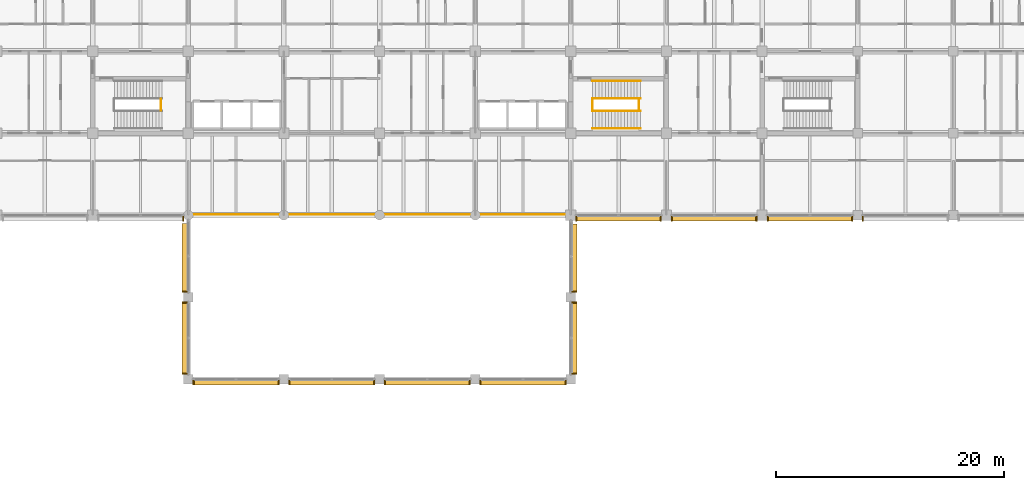
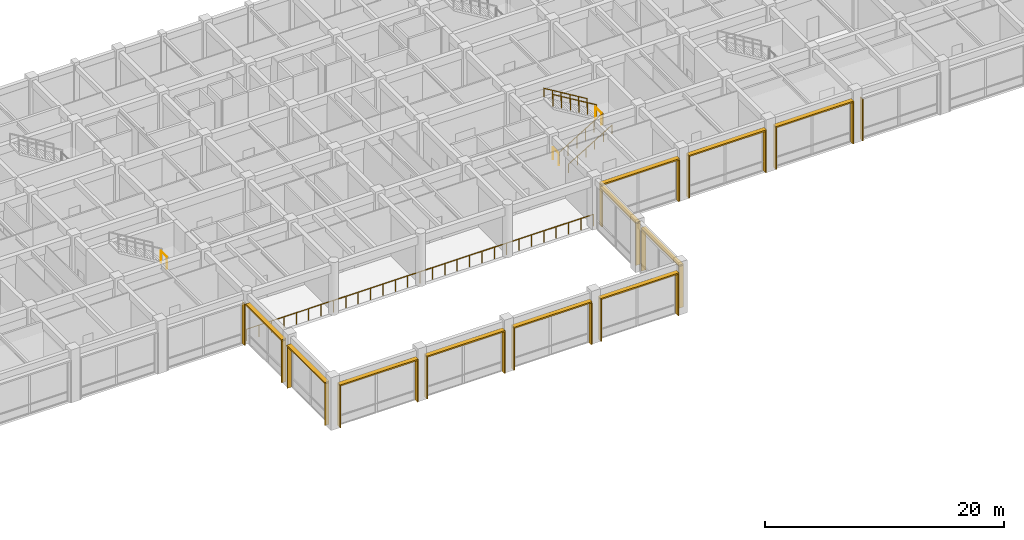
# One storey, part 48 of 51: 33 shading devices, 8 railings.
"""IFC4 building model written with IfcOpenShell, lengths in metres."""

from ifc_helpers import new_model, si_unit, direction, frame, origin, origin_2d, place, context, subcontext, project, spatial, rectangle, circle, extrude, material, type_object, element, save


model = new_model("IFC4")

# Units and contexts
model_context = context("Model", 3, precision=1e-05, world=origin(), true_north=direction((0.0, 1.0)))
body_context = subcontext(model_context, "Body", "Model", "MODEL_VIEW")
ifc_project = project(units=[si_unit("LENGTHUNIT", "METRE"), si_unit("AREAUNIT", "SQUARE_METRE"), si_unit("VOLUMEUNIT", "CUBIC_METRE"), si_unit("PLANEANGLEUNIT", "RADIAN"), si_unit("MASSUNIT", "GRAM", prefix="KILO")], contexts=[model_context])

# Site, building, storey
site_placement = place(None, origin())
site = spatial("IfcSite", under=ifc_project, at=site_placement, CompositionType="ELEMENT")
building_placement = place(site_placement, origin())
building = spatial("IfcBuilding", under=site, at=building_placement, Name="Chengyuan Square Courthouse", CompositionType="ELEMENT")
storey_placement = place(building_placement, frame((0.0, 0.0, 10.800048828125)))
storey = spatial("IfcBuildingStorey", under=building, at=storey_placement, Name="L03", CompositionType="ELEMENT", Elevation=10.800048828125)

# Railings
ifc_material_1 = material(Name="Tempered Glass and Timber Top-Rail Balustrade", Category="wood")
railing_type_1 = type_object("IfcRailingType", Name="RL-02", PredefinedType="BALUSTRADE", material=ifc_material_1)
for number, where, name in (
    (1, (64.7900390625, 88.39990234375, 2.699951171875), "Stair Landing Guard ST-3-L03"),
    (2, (102.68994140625, 88.39990234375, 0.0), "Stair Floor Slot Guard ST-4 L03"),
    (3, (106.7900390625, 88.39990234375, 2.699951171875), "Stair Landing Guard ST-4-L03"),
):
    element("IfcRailing", number, at=place(storey_placement, frame(where)), inside=storey, type_object=railing_type_1, Name=name, PredefinedType="BALUSTRADE", context=body_context, shape_type="SweptSolid", body=[
        extrude(circle(Radius=0.02392578125, at=origin_2d()), frame((0.0, 0.0, 1.17578125), z_axis=(0.0, 1.0, 0.0), x_axis=(-1.0, 0.0, 0.0)), (0.0, 0.0, 1.0), 1.0),
        extrude(circle(Radius=0.02099609375, at=origin_2d()), origin(), (0.0, 0.0, 1.0), 1.15185546875),
        extrude(circle(Radius=0.02099609375, at=origin_2d()), frame((0.0, 1.0, 0.0)), (0.0, 0.0, 1.0), 1.15185546875),
    ])
railing_1_placement = place(storey_placement, frame((102.7099609375, 88.35009765625, 0.168701171875)))
element("IfcRailing", 4, at=railing_1_placement, inside=storey, type_object=railing_type_1, Name="Stair Flight 1 Guard ST-4-L03", PredefinedType="BALUSTRADE", context=body_context, shape_type="SweptSolid", body=[
    extrude(circle(Radius=0.02392578125, at=origin_2d()), frame((0.0, 0.0, 1.17578125), z_axis=(0.856476492594, 0.0, 0.516186030065), x_axis=(0.0, 1.0, 0.0)), (0.0, 0.0, 1.0), 4.90380859375),
    extrude(circle(Radius=0.02099609375, at=origin_2d()), origin(), (0.0, 0.0, 1.0), 1.15185546875),
    extrude(circle(Radius=0.02099609375, at=origin_2d()), frame((0.840087890625, 0.0, 0.50634765625)), (0.0, 0.0, 1.0), 1.15185546875),
    extrude(circle(Radius=0.02099609375, at=origin_2d()), frame((1.679931640625, 0.0, 1.012451171875)), (0.0, 0.0, 1.0), 1.15185546875),
    extrude(circle(Radius=0.02099609375, at=origin_2d()), frame((2.52001953125, 0.0, 1.518798828125)), (0.0, 0.0, 1.0), 1.15185546875),
    extrude(circle(Radius=0.02099609375, at=origin_2d()), frame((3.35986328125, 0.0, 2.02490234375)), (0.0, 0.0, 1.0), 1.15185546875),
    extrude(circle(Radius=0.02099609375, at=origin_2d()), frame((4.199951171875, 0.0, 2.53125)), (0.0, 0.0, 1.0), 1.15185546875),
])
railing_2_placement = place(storey_placement, frame((106.909912109375, 89.449951171875, 2.86865234375)))
element("IfcRailing", 5, at=railing_2_placement, inside=storey, type_object=railing_type_1, Name="Stair Flight 2 Guard ST-4-L03", PredefinedType="BALUSTRADE", context=body_context, shape_type="SweptSolid", body=[
    extrude(circle(Radius=0.02392578125, at=origin_2d()), frame((0.0, 0.0, 1.17578125), z_axis=(-0.856476492594, 0.0, 0.516186030065), x_axis=(0.0, -1.0, 0.0)), (0.0, 0.0, 1.0), 4.90380859375),
    extrude(circle(Radius=0.02099609375, at=origin_2d()), origin(), (0.0, 0.0, 1.0), 1.15185546875),
    extrude(circle(Radius=0.02099609375, at=origin_2d()), frame((-0.840087890625, 0.0, 0.50634765625)), (0.0, 0.0, 1.0), 1.15185546875),
    extrude(circle(Radius=0.02099609375, at=origin_2d()), frame((-1.679931640625, 0.0, 1.012451171875)), (0.0, 0.0, 1.0), 1.15185546875),
    extrude(circle(Radius=0.02099609375, at=origin_2d()), frame((-2.52001953125, 0.0, 1.518798828125)), (0.0, 0.0, 1.0), 1.15185546875),
    extrude(circle(Radius=0.02099609375, at=origin_2d()), frame((-3.35986328125, 0.0, 2.02490234375)), (0.0, 0.0, 1.0), 1.15185546875),
    extrude(circle(Radius=0.02099609375, at=origin_2d()), frame((-4.199951171875, 0.0, 2.53125)), (0.0, 0.0, 1.0), 1.15185546875),
])
railing_3_placement = place(storey_placement, frame((67.25, 79.280029296875, 0.0)))
element("IfcRailing", 6, at=railing_3_placement, inside=storey, type_object=railing_type_1, Name="Wintergarden Atrium Overlook Balustrade L03", PredefinedType="BALUSTRADE", context=body_context, shape_type="SweptSolid", body=[
    extrude(circle(Radius=0.02392578125, at=origin_2d()), frame((0.0, 0.0, 1.17578125), z_axis=(1.0, 0.0, 0.0), x_axis=(0.0, 1.0, 0.0)), (0.0, 0.0, 1.0), 33.5),
    extrude(circle(Radius=0.02099609375, at=origin_2d()), origin(), (0.0, 0.0, 1.0), 1.15185546875),
    extrude(circle(Radius=0.02099609375, at=origin_2d()), frame((1.196533203125, 0.0, 0.0)), (0.0, 0.0, 1.0), 1.15185546875),
    extrude(circle(Radius=0.02099609375, at=origin_2d()), frame((2.392822265625, 0.0, 0.0)), (0.0, 0.0, 1.0), 1.15185546875),
    extrude(circle(Radius=0.02099609375, at=origin_2d()), frame((3.58935546875, 0.0, 0.0)), (0.0, 0.0, 1.0), 1.15185546875),
    extrude(circle(Radius=0.02099609375, at=origin_2d()), frame((4.78564453125, 0.0, 0.0)), (0.0, 0.0, 1.0), 1.15185546875),
    extrude(circle(Radius=0.02099609375, at=origin_2d()), frame((5.982177734375, 0.0, 0.0)), (0.0, 0.0, 1.0), 1.15185546875),
    extrude(circle(Radius=0.02099609375, at=origin_2d()), frame((7.178466796875, 0.0, 0.0)), (0.0, 0.0, 1.0), 1.15185546875),
    extrude(circle(Radius=0.02099609375, at=origin_2d()), frame((8.375, 0.0, 0.0)), (0.0, 0.0, 1.0), 1.15185546875),
    extrude(circle(Radius=0.02099609375, at=origin_2d()), frame((9.571533203125, 0.0, 0.0)), (0.0, 0.0, 1.0), 1.15185546875),
    extrude(circle(Radius=0.02099609375, at=origin_2d()), frame((10.767822265625, 0.0, 0.0)), (0.0, 0.0, 1.0), 1.15185546875),
    extrude(circle(Radius=0.02099609375, at=origin_2d()), frame((11.96435546875, 0.0, 0.0)), (0.0, 0.0, 1.0), 1.15185546875),
    extrude(circle(Radius=0.02099609375, at=origin_2d()), frame((13.16064453125, 0.0, 0.0)), (0.0, 0.0, 1.0), 1.15185546875),
    extrude(circle(Radius=0.02099609375, at=origin_2d()), frame((14.357177734375, 0.0, 0.0)), (0.0, 0.0, 1.0), 1.15185546875),
    extrude(circle(Radius=0.02099609375, at=origin_2d()), frame((15.553466796875, 0.0, 0.0)), (0.0, 0.0, 1.0), 1.15185546875),
    extrude(circle(Radius=0.02099609375, at=origin_2d()), frame((16.75, 0.0, 0.0)), (0.0, 0.0, 1.0), 1.15185546875),
    extrude(circle(Radius=0.02099609375, at=origin_2d()), frame((17.946533203125, 0.0, 0.0)), (0.0, 0.0, 1.0), 1.15185546875),
    extrude(circle(Radius=0.02099609375, at=origin_2d()), frame((19.142822265625, 0.0, 0.0)), (0.0, 0.0, 1.0), 1.15185546875),
    extrude(circle(Radius=0.02099609375, at=origin_2d()), frame((20.33935546875, 0.0, 0.0)), (0.0, 0.0, 1.0), 1.15185546875),
    extrude(circle(Radius=0.02099609375, at=origin_2d()), frame((21.53564453125, 0.0, 0.0)), (0.0, 0.0, 1.0), 1.15185546875),
    extrude(circle(Radius=0.02099609375, at=origin_2d()), frame((22.732177734375, 0.0, 0.0)), (0.0, 0.0, 1.0), 1.15185546875),
    extrude(circle(Radius=0.02099609375, at=origin_2d()), frame((23.928466796875, 0.0, 0.0)), (0.0, 0.0, 1.0), 1.15185546875),
    extrude(circle(Radius=0.02099609375, at=origin_2d()), frame((25.125, 0.0, 0.0)), (0.0, 0.0, 1.0), 1.15185546875),
    extrude(circle(Radius=0.02099609375, at=origin_2d()), frame((26.321533203125, 0.0, 0.0)), (0.0, 0.0, 1.0), 1.15185546875),
    extrude(circle(Radius=0.02099609375, at=origin_2d()), frame((27.517822265625, 0.0, 0.0)), (0.0, 0.0, 1.0), 1.15185546875),
    extrude(circle(Radius=0.02099609375, at=origin_2d()), frame((28.71435546875, 0.0, 0.0)), (0.0, 0.0, 1.0), 1.15185546875),
    extrude(circle(Radius=0.02099609375, at=origin_2d()), frame((29.91064453125, 0.0, 0.0)), (0.0, 0.0, 1.0), 1.15185546875),
    extrude(circle(Radius=0.02099609375, at=origin_2d()), frame((31.107177734375, 0.0, 0.0)), (0.0, 0.0, 1.0), 1.15185546875),
    extrude(circle(Radius=0.02099609375, at=origin_2d()), frame((32.303466796875, 0.0, 0.0)), (0.0, 0.0, 1.0), 1.15185546875),
    extrude(circle(Radius=0.02099609375, at=origin_2d()), frame((33.5, 0.0, 0.0)), (0.0, 0.0, 1.0), 1.15185546875),
])
ifc_material_2 = material(Name="Stainless Steel S30408 Stair Handrail", Category="steel")
railing_type_2 = type_object("IfcRailingType", Name="RL-04", PredefinedType="HANDRAIL", material=ifc_material_2)
railing_4_placement = place(storey_placement, frame((102.7099609375, 86.820068359375, 0.168701171875)))
element("IfcRailing", 7, at=railing_4_placement, inside=storey, type_object=railing_type_2, Name="Stair Flight 1 Handrail ST-4-L03", PredefinedType="HANDRAIL", context=body_context, shape_type="SweptSolid", body=[
    extrude(circle(Radius=0.02392578125, at=origin_2d()), frame((0.0, 0.0, 0.8759765625), z_axis=(0.856476492594, 0.0, 0.516186030065), x_axis=(0.0, 1.0, 0.0)), (0.0, 0.0, 1.0), 4.90380859375),
    extrude(circle(Radius=0.02099609375, at=origin_2d()), origin(), (0.0, 0.0, 1.0), 0.851806640625),
    extrude(circle(Radius=0.02099609375, at=origin_2d()), frame((0.840087890625, 0.0, 0.50634765625)), (0.0, 0.0, 1.0), 0.851806640625),
    extrude(circle(Radius=0.02099609375, at=origin_2d()), frame((1.679931640625, 0.0, 1.012451171875)), (0.0, 0.0, 1.0), 0.851806640625),
    extrude(circle(Radius=0.02099609375, at=origin_2d()), frame((2.52001953125, 0.0, 1.518798828125)), (0.0, 0.0, 1.0), 0.851806640625),
    extrude(circle(Radius=0.02099609375, at=origin_2d()), frame((3.35986328125, 0.0, 2.02490234375)), (0.0, 0.0, 1.0), 0.851806640625),
    extrude(circle(Radius=0.02099609375, at=origin_2d()), frame((4.199951171875, 0.0, 2.53125)), (0.0, 0.0, 1.0), 0.851806640625),
])
railing_5_placement = place(storey_placement, frame((106.909912109375, 90.97998046875, 2.86865234375)))
element("IfcRailing", 8, at=railing_5_placement, inside=storey, type_object=railing_type_2, Name="Stair Flight 2 Handrail ST-4-L03", PredefinedType="HANDRAIL", context=body_context, shape_type="SweptSolid", body=[
    extrude(circle(Radius=0.02392578125, at=origin_2d()), frame((0.0, 0.0, 0.8759765625), z_axis=(-0.856476492594, 0.0, 0.516186030065), x_axis=(0.0, -1.0, 0.0)), (0.0, 0.0, 1.0), 4.90380859375),
    extrude(circle(Radius=0.02099609375, at=origin_2d()), origin(), (0.0, 0.0, 1.0), 0.851806640625),
    extrude(circle(Radius=0.02099609375, at=origin_2d()), frame((-0.840087890625, 0.0, 0.50634765625)), (0.0, 0.0, 1.0), 0.851806640625),
    extrude(circle(Radius=0.02099609375, at=origin_2d()), frame((-1.679931640625, 0.0, 1.012451171875)), (0.0, 0.0, 1.0), 0.851806640625),
    extrude(circle(Radius=0.02099609375, at=origin_2d()), frame((-2.52001953125, 0.0, 1.518798828125)), (0.0, 0.0, 1.0), 0.851806640625),
    extrude(circle(Radius=0.02099609375, at=origin_2d()), frame((-3.35986328125, 0.0, 2.02490234375)), (0.0, 0.0, 1.0), 0.851806640625),
    extrude(circle(Radius=0.02099609375, at=origin_2d()), frame((-4.199951171875, 0.0, 2.53125)), (0.0, 0.0, 1.0), 0.851806640625),
])

# Shading devices
ifc_material_3 = material(Name="Glulam TCt28 Solar Shading Fin", Category="wood")
shading_device_type_1 = type_object("IfcShadingDeviceType", Name="SHD-01", PredefinedType="JALOUSIE", material=ifc_material_3)
for number, where, z_axis, x_axis, name in (
    (9, (66.739990234375, 78.89794921875, 0.0400390625), (0.0, 0.0, 1.0), (0.0, 1.0, 0.0), "Glulam Solar Fin SHD-L03-0336"),
    (10, (67.659912109375, 64.498046875, 0.0400390625), (0.0, 0.0, 1.0), (0.0, 1.0, 0.0), "Glulam Solar Fin SHD-L03-0338"),
    (11, (75.139892578125, 64.498046875, 0.0400390625), (0.0, 0.0, 1.0), (0.0, 1.0, 0.0), "Glulam Solar Fin SHD-L03-0339"),
    (12, (66.887939453125, 65.264892578125, 0.0400390625), (0.0, 0.0, 1.0), (1.0, 0.0, 0.0), "Glulam Solar Fin SHD-L03-0341"),
    (13, (66.887939453125, 71.534912109375, 0.0400390625), (0.0, 0.0, 1.0), (1.0, 0.0, 0.0), "Glulam Solar Fin SHD-L03-0342"),
    (14, (66.887939453125, 72.465087890625, 0.0400390625), (0.0, 0.0, 1.0), (1.0, 0.0, 0.0), "Glulam Solar Fin SHD-L03-0344"),
    (15, (76.06005859375, 64.498046875, 0.0400390625), (0.0, 0.0, 1.0), (0.0, 1.0, 0.0), "Glulam Solar Fin SHD-L03-0346"),
    (16, (83.5400390625, 64.498046875, 0.0400390625), (0.0, 0.0, 1.0), (0.0, 1.0, 0.0), "Glulam Solar Fin SHD-L03-0347"),
    (17, (84.4599609375, 64.498046875, 0.0400390625), (0.0, 0.0, 1.0), (0.0, 1.0, 0.0), "Glulam Solar Fin SHD-L03-0349"),
    (18, (91.93994140625, 64.498046875, 0.0400390625), (0.0, 0.0, 1.0), (0.0, 1.0, 0.0), "Glulam Solar Fin SHD-L03-0350"),
    (19, (92.860107421875, 64.498046875, 0.0400390625), (0.0, 0.0, 1.0), (0.0, 1.0, 0.0), "Glulam Solar Fin SHD-L03-0352"),
    (20, (100.340087890625, 64.498046875, 0.0400390625), (0.0, 0.0, 1.0), (0.0, 1.0, 0.0), "Glulam Solar Fin SHD-L03-0353"),
    (21, (101.112060546875, 65.264892578125, 0.0400390625), (0.0, 0.0, 1.0), (1.0, 0.0, 0.0), "Glulam Solar Fin SHD-L03-0355"),
    (22, (101.112060546875, 71.534912109375, 0.0400390625), (0.0, 0.0, 1.0), (1.0, 0.0, 0.0), "Glulam Solar Fin SHD-L03-0356"),
    (23, (101.112060546875, 72.465087890625, 0.0400390625), (0.0, 0.0, 1.0), (1.0, 0.0, 0.0), "Glulam Solar Fin SHD-L03-0358"),
    (24, (101.284912109375, 78.89794921875, 0.0400390625), (0.0, 0.0, 1.0), (0.0, 1.0, 0.0), "Glulam Solar Fin SHD-L03-0360"),
    (25, (108.715087890625, 78.89794921875, 0.0400390625), (0.0, 0.0, 1.0), (0.0, 1.0, 0.0), "Glulam Solar Fin SHD-L03-0361"),
    (26, (109.68505859375, 78.89794921875, 0.0400390625), (0.0, 0.0, 1.0), (0.0, 1.0, 0.0), "Glulam Solar Fin SHD-L03-0363"),
    (27, (117.114990234375, 78.89794921875, 0.0400390625), (0.0, 0.0, 1.0), (0.0, 1.0, 0.0), "Glulam Solar Fin SHD-L03-0364"),
    (28, (118.0849609375, 78.89794921875, 0.0400390625), (0.0, 0.0, 1.0), (0.0, 1.0, 0.0), "Glulam Solar Fin SHD-L03-0367"),
    (29, (125.5400390625, 78.89794921875, 0.0400390625), (0.0, 0.0, 1.0), (0.0, 1.0, 0.0), "Glulam Solar Fin SHD-L03-0368"),
    (30, (126.4599609375, 78.89794921875, 0.0400390625), (0.0, 0.0, 1.0), (0.0, 1.0, 0.0), "Glulam Solar Fin SHD-L03-0370"),
):
    element("IfcShadingDevice", number, at=place(storey_placement, frame(where, z_axis=z_axis, x_axis=x_axis)), inside=storey, type_object=shading_device_type_1, Name=name, PredefinedType="JALOUSIE", context=body_context, shape_type="SweptSolid", body=[
        extrude(rectangle(XDim=0.419921875, YDim=0.094970703125, at=origin_2d()), origin(), (0.0, 0.0, 1.0), 4.260009765625),
    ])
ifc_material_4 = material(Name="Glulam TCt28 Sunshade Louvre", Category="wood")
shading_device_type_2 = type_object("IfcShadingDeviceType", Name="SHD-02", PredefinedType="AWNING", material=ifc_material_4)
shading_device_1_placement = place(storey_placement, frame((71.39990234375, 64.498046875, 4.2998046875), z_axis=(0.0, 0.0, 1.0), x_axis=(1.0, 0.0, 0.0)))
element("IfcShadingDevice", 31, at=shading_device_1_placement, inside=storey, type_object=shading_device_type_2, Name="Glulam Sunshade Louvre SHD-L03-0340", PredefinedType="AWNING", context=body_context, shape_type="SweptSolid", body=[
    extrude(rectangle(XDim=7.550048828125, YDim=0.43994140625, at=origin_2d()), origin(), (0.0, 0.0, 1.0), 0.139892578125),
])
shading_device_2_placement = place(storey_placement, frame((66.887939453125, 68.39990234375, 4.2998046875), z_axis=(0.0, 0.0, 1.0), x_axis=(0.0, 1.0, 0.0)))
element("IfcShadingDevice", 32, at=shading_device_2_placement, inside=storey, type_object=shading_device_type_2, Name="Glulam Sunshade Louvre SHD-L03-0343", PredefinedType="AWNING", context=body_context, shape_type="SweptSolid", body=[
    extrude(rectangle(XDim=6.35009765625, YDim=0.43994140625, at=origin_2d()), origin(), (0.0, 0.0, 1.0), 0.139892578125),
])
shading_device_3_placement = place(storey_placement, frame((66.887939453125, 75.449951171875, 4.2998046875), z_axis=(0.0, 0.0, 1.0), x_axis=(0.0, 1.0, 0.0)))
element("IfcShadingDevice", 33, at=shading_device_3_placement, inside=storey, type_object=shading_device_type_2, Name="Glulam Sunshade Louvre SHD-L03-0345", PredefinedType="AWNING", context=body_context, shape_type="SweptSolid", body=[
    extrude(rectangle(XDim=6.050048828125, YDim=0.43994140625, at=origin_2d()), origin(), (0.0, 0.0, 1.0), 0.139892578125),
])
for number, where, z_axis, x_axis, name in (
    (34, (79.800048828125, 64.498046875, 4.2998046875), (0.0, 0.0, 1.0), (1.0, 0.0, 0.0), "Glulam Sunshade Louvre SHD-L03-0348"),
    (35, (88.199951171875, 64.498046875, 4.2998046875), (0.0, 0.0, 1.0), (1.0, 0.0, 0.0), "Glulam Sunshade Louvre SHD-L03-0351"),
    (36, (96.60009765625, 64.498046875, 4.2998046875), (0.0, 0.0, 1.0), (1.0, 0.0, 0.0), "Glulam Sunshade Louvre SHD-L03-0354"),
):
    element("IfcShadingDevice", number, at=place(storey_placement, frame(where, z_axis=z_axis, x_axis=x_axis)), inside=storey, type_object=shading_device_type_2, Name=name, PredefinedType="AWNING", context=body_context, shape_type="SweptSolid", body=[
        extrude(rectangle(XDim=7.550048828125, YDim=0.43994140625, at=origin_2d()), origin(), (0.0, 0.0, 1.0), 0.139892578125),
    ])
shading_device_4_placement = place(storey_placement, frame((101.112060546875, 68.39990234375, 4.2998046875), z_axis=(0.0, 0.0, 1.0), x_axis=(0.0, 1.0, 0.0)))
element("IfcShadingDevice", 37, at=shading_device_4_placement, inside=storey, type_object=shading_device_type_2, Name="Glulam Sunshade Louvre SHD-L03-0357", PredefinedType="AWNING", context=body_context, shape_type="SweptSolid", body=[
    extrude(rectangle(XDim=6.35009765625, YDim=0.43994140625, at=origin_2d()), origin(), (0.0, 0.0, 1.0), 0.139892578125),
])
shading_device_5_placement = place(storey_placement, frame((101.112060546875, 75.4375, 4.2998046875), z_axis=(0.0, 0.0, 1.0), x_axis=(0.0, 1.0, 0.0)))
element("IfcShadingDevice", 38, at=shading_device_5_placement, inside=storey, type_object=shading_device_type_2, Name="Glulam Sunshade Louvre SHD-L03-0359", PredefinedType="AWNING", context=body_context, shape_type="SweptSolid", body=[
    extrude(rectangle(XDim=6.02490234375, YDim=0.43994140625, at=origin_2d()), origin(), (0.0, 0.0, 1.0), 0.139892578125),
])
for number, where, z_axis, x_axis, name in (
    (39, (105.0, 78.89794921875, 4.2998046875), (0.0, 0.0, 1.0), (1.0, 0.0, 0.0), "Glulam Sunshade Louvre SHD-L03-0362"),
    (40, (113.39990234375, 78.89794921875, 4.2998046875), (0.0, 0.0, 1.0), (1.0, 0.0, 0.0), "Glulam Sunshade Louvre SHD-L03-0365"),
):
    element("IfcShadingDevice", number, at=place(storey_placement, frame(where, z_axis=z_axis, x_axis=x_axis)), inside=storey, type_object=shading_device_type_2, Name=name, PredefinedType="AWNING", context=body_context, shape_type="SweptSolid", body=[
        extrude(rectangle(XDim=7.5, YDim=0.43994140625, at=origin_2d()), origin(), (0.0, 0.0, 1.0), 0.139892578125),
    ])
shading_device_6_placement = place(storey_placement, frame((121.8125, 78.89794921875, 4.2998046875), z_axis=(0.0, 0.0, 1.0), x_axis=(1.0, 0.0, 0.0)))
element("IfcShadingDevice", 41, at=shading_device_6_placement, inside=storey, type_object=shading_device_type_2, Name="Glulam Sunshade Louvre SHD-L03-0369", PredefinedType="AWNING", context=body_context, shape_type="SweptSolid", body=[
    extrude(rectangle(XDim=7.52490234375, YDim=0.43994140625, at=origin_2d()), origin(), (0.0, 0.0, 1.0), 0.139892578125),
])

save(model, "model.ifc")
